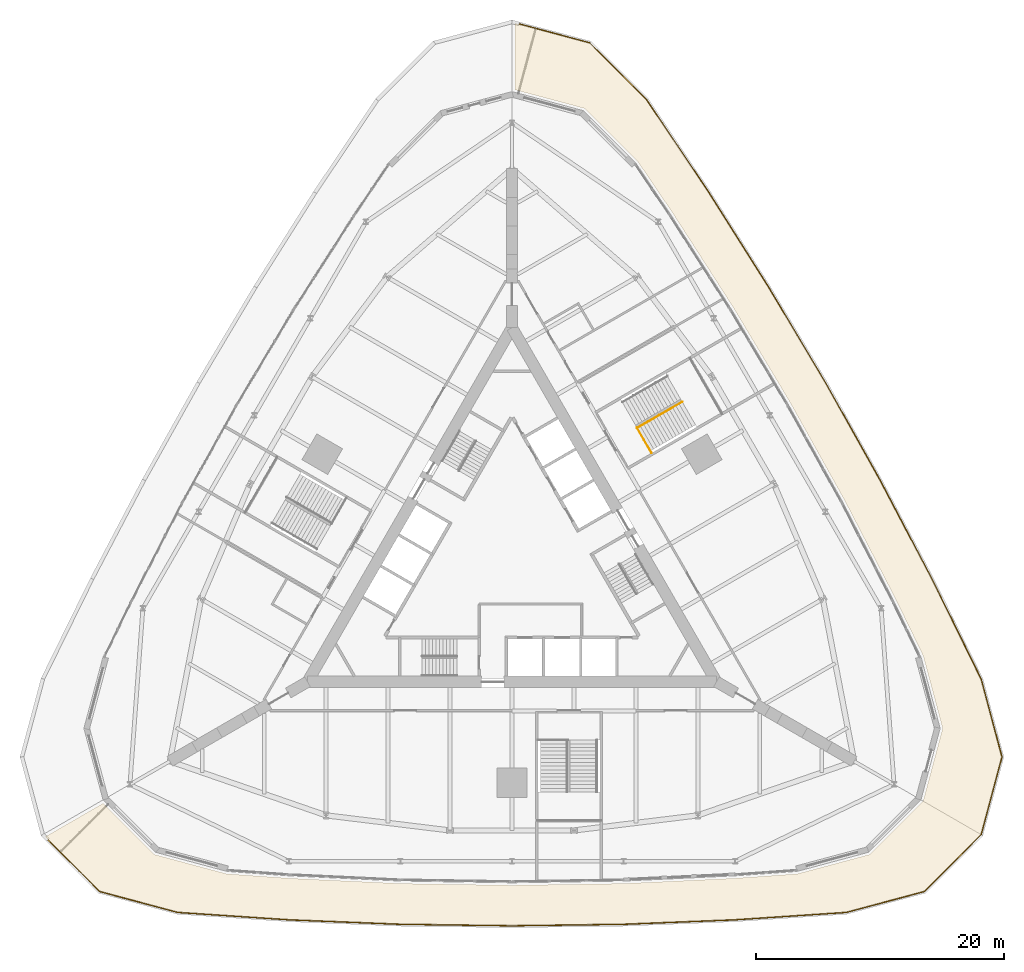
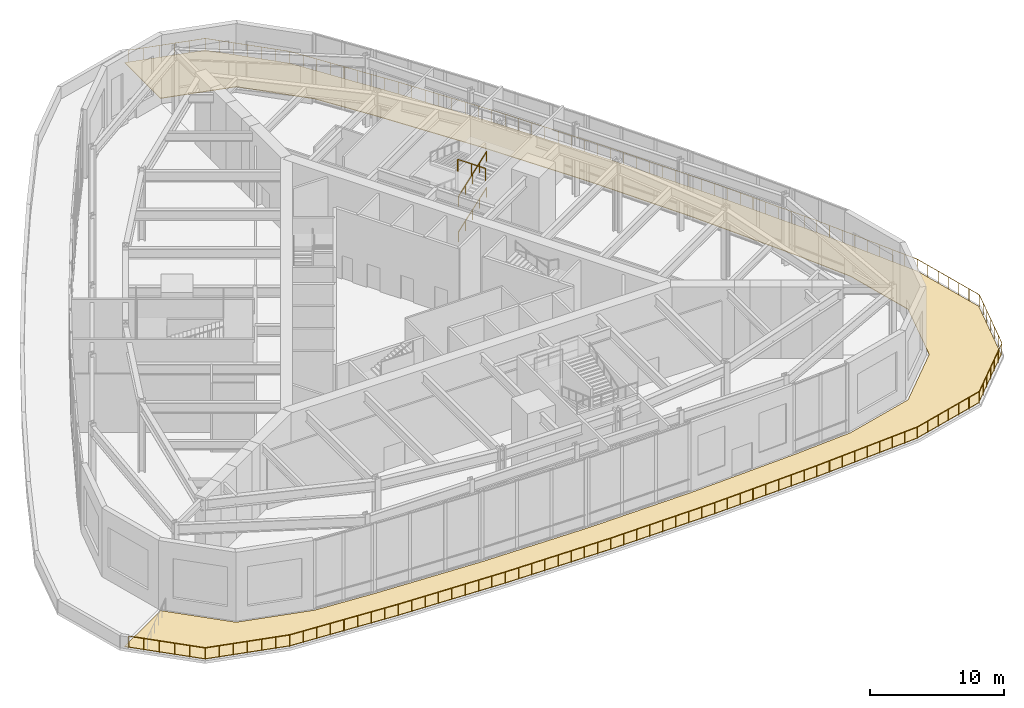
# One storey, part 18 of 19: 4 railings, 1 covering.
"""IFC4 building model written with IfcOpenShell, lengths in metres."""

from ifc_helpers import new_model, si_unit, direction, frame, origin, origin_2d, place, context, subcontext, project, spatial, polyline, circle, outline, extrude, material, layer, layer_set, type_object, element, save


model = new_model("IFC4")

# Units and contexts
model_context = context("Model", 3, precision=1e-05, world=origin(), true_north=direction((0.0, 1.0)))
body_context = subcontext(model_context, "Body", "Model", "MODEL_VIEW")
ifc_project = project(units=[si_unit("LENGTHUNIT", "METRE"), si_unit("AREAUNIT", "SQUARE_METRE"), si_unit("VOLUMEUNIT", "CUBIC_METRE"), si_unit("PLANEANGLEUNIT", "RADIAN"), si_unit("MASSUNIT", "GRAM", prefix="KILO")], contexts=[model_context])

# Site, building, storey
site_placement = place(None, origin())
site = spatial("IfcSite", under=ifc_project, at=site_placement, CompositionType="ELEMENT")
building_placement = place(site_placement, origin())
building = spatial("IfcBuilding", under=site, at=building_placement, Name="Trikona Tower", CompositionType="ELEMENT")
storey_placement = place(building_placement, frame((0.0, 0.0, 11.0)))
storey = spatial("IfcBuildingStorey", under=building, at=storey_placement, Name="L02", CompositionType="ELEMENT", Elevation=11.0)

# Railings
ifc_material_1 = material(Name="Stainless steel handrail", Category="steel")
railing_type_1 = type_object("IfcRailingType", Name="Stair handrail", PredefinedType="HANDRAIL", material=ifc_material_1)
for number, where, name in (
    (1, (10.100341796875, 10.958251953125, 0.1083984375), "Stair handrail PS2 L02 1"),
    (2, (10.100341796875, 10.958251953125, 3.3583984375), "Stair handrail PS2 L02 3"),
):
    element("IfcRailing", number, at=place(storey_placement, frame(where)), inside=storey, type_object=railing_type_1, Name=name, PredefinedType="HANDRAIL", context=body_context, shape_type="SweptSolid", body=[
        extrude(circle(Radius=0.02392578125, at=origin_2d()), frame((0.0, 0.0, 0.8759765625), z_axis=(0.814531715647, 0.470304860921, 0.339634247389), x_axis=(-0.500027713859, 0.866009402589, 0.0)), (0.0, 0.0, 1.0), 4.46533203125),
        extrude(circle(Radius=0.02099609375, at=origin_2d()), origin(), (0.0, 0.0, 1.0), 0.851806640625),
        extrude(circle(Radius=0.02099609375, at=origin_2d()), frame((0.9091796875, 0.52490234375, 0.379150390625)), (0.0, 0.0, 1.0), 0.851806640625),
        extrude(circle(Radius=0.02099609375, at=origin_2d()), frame((1.818603515625, 1.050048828125, 0.75830078125)), (0.0, 0.0, 1.0), 0.851806640625),
        extrude(circle(Radius=0.02099609375, at=origin_2d()), frame((2.72802734375, 1.5751953125, 1.137451171875)), (0.0, 0.0, 1.0), 0.851806640625),
        extrude(circle(Radius=0.02099609375, at=origin_2d()), frame((3.63720703125, 2.10009765625, 1.5166015625)), (0.0, 0.0, 1.0), 0.851806640625),
    ])
ifc_material_2 = material(Name="Stainless steel guard with glass infill", Category="steel")
railing_type_2 = type_object("IfcRailingType", Name="Stair well guard 1100", PredefinedType="GUARDRAIL", material=ifc_material_2)
railing_1_placement = place(storey_placement, frame((11.270263671875, 8.931884765625, 6.5)))
element("IfcRailing", 3, at=railing_1_placement, inside=storey, type_object=railing_type_2, Name="Stair well guard PS2 L02", PredefinedType="GUARDRAIL", context=body_context, shape_type="SweptSolid", body=[
    extrude(circle(Radius=0.02392578125, at=origin_2d()), frame((0.0, 0.0, 1.076171875), z_axis=(-0.500001309137, 0.866024647952, 0.0), x_axis=(-0.866024647952, -0.500001309137, 0.0)), (0.0, 0.0, 1.0), 2.39990234375),
    extrude(circle(Radius=0.02099609375, at=origin_2d()), origin(), (0.0, 0.0, 1.0), 1.052001953125),
    extrude(circle(Radius=0.02099609375, at=origin_2d()), frame((-0.60009765625, 1.0390625, 0.0)), (0.0, 0.0, 1.0), 1.052001953125),
    extrude(circle(Radius=0.02099609375, at=origin_2d()), frame((-1.199951171875, 2.078369140625, 0.0)), (0.0, 0.0, 1.0), 1.052001953125),
])
ifc_material_3 = material(Name="Stainless steel guard with glass infill", Category="steel")
railing_type_3 = type_object("IfcRailingType", Name="Terrace guard 1100", PredefinedType="GUARDRAIL", material=ifc_material_3)
railing_2_placement = place(storey_placement, frame((0.57958984375, 43.568115234375, 0.0)))
element("IfcRailing", 4, at=railing_2_placement, inside=storey, type_object=railing_type_3, Name="Terrace guard L02-1", PredefinedType="GUARDRAIL", context=body_context, shape_type="SweptSolid", body=[
    extrude(circle(Radius=0.02392578125, at=origin_2d()), frame((0.0, 0.0, 1.076171875), z_axis=(0.965924201797, -0.258825107715, 0.0), x_axis=(0.258825107715, 0.965924201797, 0.0)), (0.0, 0.0, 1.0), 5.89453125),
    extrude(circle(Radius=0.02392578125, at=origin_2d()), frame((5.693603515625, -1.525634765625, 1.076171875), z_axis=(0.707106781187, -0.707106781187, 0.0), x_axis=(0.707106781187, 0.707106781187, 0.0)), (0.0, 0.0, 1.0), 6.52001953125),
    extrude(circle(Radius=0.02392578125, at=origin_2d()), frame((10.303955078125, -6.135986328125, 1.076171875), z_axis=(0.556488614261, -0.830855235404, 0.0), x_axis=(0.830855235404, 0.556488614261, 0.0)), (0.0, 0.0, 1.0), 9.00341796875),
    extrude(circle(Radius=0.02392578125, at=origin_2d()), frame((15.314208984375, -13.616455078125, 1.076171875), z_axis=(0.534228645419, -0.845340022958, 0.0), x_axis=(0.845340022958, 0.534228645419, 0.0)), (0.0, 0.0, 1.0), 9.003173828125),
    extrude(circle(Radius=0.02392578125, at=origin_2d()), frame((20.1240234375, -21.227294921875, 1.076171875), z_axis=(0.511499603283, -0.859283513075, 0.0), x_axis=(0.859283513075, 0.511499603283, 0.0)), (0.0, 0.0, 1.0), 8.99658203125),
    extrude(circle(Radius=0.02392578125, at=origin_2d()), frame((24.725830078125, -28.9580078125, 1.076171875), z_axis=(0.488409994099, -0.872614277711, 0.0), x_axis=(0.872614277711, 0.488409994099, 0.0)), (0.0, 0.0, 1.0), 8.99658203125),
    extrude(circle(Radius=0.02392578125, at=origin_2d()), frame((29.119873046875, -36.80859375, 1.076171875), z_axis=(0.46498853792, -0.885316700172, 0.0), x_axis=(0.885316700172, 0.46498853792, 0.0)), (0.0, 0.0, 1.0), 9.00341796875),
    extrude(circle(Radius=0.02392578125, at=origin_2d()), frame((33.306396484375, -44.779541015625, 1.076171875), z_axis=(0.441281352702, -0.897368802532, 0.0), x_axis=(0.897368802532, 0.441281352702, 0.0)), (0.0, 0.0, 1.0), 9.003173828125),
    extrude(circle(Radius=0.02392578125, at=origin_2d()), frame((37.279296875, -52.858642578125, 1.076171875), z_axis=(0.258818438327, -0.965925988874, 0.0), x_axis=(0.965925988874, 0.258818438327, 0.0)), (0.0, 0.0, 1.0), 6.52001953125),
    extrude(circle(Radius=0.02392578125, at=origin_2d()), frame((38.966796875, -59.156494140625, 1.076171875), z_axis=(-0.258811243261, -0.965927916752, 0.0), x_axis=(0.965927916752, -0.258811243261, 0.0)), (0.0, 0.0, 1.0), 6.49462890625),
    extrude(circle(Radius=0.02392578125, at=origin_2d()), frame((37.285888671875, -65.429931640625, 1.076171875), z_axis=(-0.707106781187, -0.707106781187, 0.0), x_axis=(0.707106781187, -0.707106781187, 0.0)), (0.0, 0.0, 1.0), 6.494384765625),
    extrude(circle(Radius=0.02392578125, at=origin_2d()), frame((32.693603515625, -70.022216796875, 1.076171875), z_axis=(-0.965925988874, -0.258818438327, 0.0), x_axis=(0.258818438327, -0.965925988874, 0.0)), (0.0, 0.0, 1.0), 6.52001953125),
    extrude(circle(Radius=0.02392578125, at=origin_2d()), frame((26.395751953125, -71.709716796875, 1.076171875), z_axis=(-0.99778527784, -0.066517210744, 0.0), x_axis=(0.066517210744, -0.99778527784, 0.0)), (0.0, 0.0, 1.0), 9.00341796875),
    extrude(circle(Radius=0.02392578125, at=origin_2d()), frame((17.412353515625, -72.30859375, 1.076171875), z_axis=(-0.999201911452, -0.039944212977, 0.0), x_axis=(0.039944212977, -0.999201911452, 0.0)), (0.0, 0.0, 1.0), 9.0029296875),
    extrude(circle(Radius=0.02392578125, at=origin_2d()), frame((8.41650390625, -72.668212890625, 1.076171875), z_axis=(-0.999910871971, -0.01335095932, 0.0), x_axis=(0.01335095932, -0.999910871971, 0.0)), (0.0, 0.0, 1.0), 8.996826171875),
    extrude(circle(Radius=0.02392578125, at=origin_2d()), frame((-0.57958984375, -72.788330078125, 1.076171875), z_axis=(-0.999910871971, 0.01335095932, 0.0), x_axis=(-0.01335095932, -0.999910871971, 0.0)), (0.0, 0.0, 1.0), 8.996826171875),
    extrude(circle(Radius=0.02392578125, at=origin_2d()), frame((-9.57568359375, -72.668212890625, 1.076171875), z_axis=(-0.999201911452, 0.039944212977, 0.0), x_axis=(-0.039944212977, -0.999201911452, 0.0)), (0.0, 0.0, 1.0), 9.0029296875),
    extrude(circle(Radius=0.02392578125, at=origin_2d()), frame((-18.571533203125, -72.30859375, 1.076171875), z_axis=(-0.99778527784, 0.066517210744, 0.0), x_axis=(-0.066517210744, -0.99778527784, 0.0)), (0.0, 0.0, 1.0), 9.00341796875),
    extrude(circle(Radius=0.02392578125, at=origin_2d()), frame((-27.554931640625, -71.709716796875, 1.076171875), z_axis=(-0.965925988874, 0.258818438327, 0.0), x_axis=(-0.258818438327, -0.965925988874, 0.0)), (0.0, 0.0, 1.0), 6.52001953125),
    extrude(circle(Radius=0.02392578125, at=origin_2d()), frame((-33.852783203125, -70.022216796875, 1.076171875), z_axis=(-0.707086071943, 0.707127489824, 0.0), x_axis=(-0.707127489824, -0.707086071943, 0.0)), (0.0, 0.0, 1.0), 5.89453125),
    extrude(circle(Radius=0.02099609375, at=origin_2d()), origin(), (0.0, 0.0, 1.0), 1.052001953125),
    extrude(circle(Radius=0.02099609375, at=origin_2d()), frame((1.138671875, -0.30517578125, 0.0)), (0.0, 0.0, 1.0), 1.052001953125),
    extrude(circle(Radius=0.02099609375, at=origin_2d()), frame((2.27734375, -0.6103515625, 0.0)), (0.0, 0.0, 1.0), 1.052001953125),
    extrude(circle(Radius=0.02099609375, at=origin_2d()), frame((3.416259765625, -0.915283203125, 0.0)), (0.0, 0.0, 1.0), 1.052001953125),
    extrude(circle(Radius=0.02099609375, at=origin_2d()), frame((4.554931640625, -1.220458984375, 0.0)), (0.0, 0.0, 1.0), 1.052001953125),
    extrude(circle(Radius=0.02099609375, at=origin_2d()), frame((5.693603515625, -1.525634765625, 0.0)), (0.0, 0.0, 1.0), 1.052001953125),
    extrude(circle(Radius=0.02099609375, at=origin_2d()), frame((6.4619140625, -2.2939453125, 0.0)), (0.0, 0.0, 1.0), 1.052001953125),
    extrude(circle(Radius=0.02099609375, at=origin_2d()), frame((7.23046875, -3.0625, 0.0)), (0.0, 0.0, 1.0), 1.052001953125),
    extrude(circle(Radius=0.02099609375, at=origin_2d()), frame((7.998779296875, -3.830810546875, 0.0)), (0.0, 0.0, 1.0), 1.052001953125),
    extrude(circle(Radius=0.02099609375, at=origin_2d()), frame((8.76708984375, -4.59912109375, 0.0)), (0.0, 0.0, 1.0), 1.052001953125),
    extrude(circle(Radius=0.02099609375, at=origin_2d()), frame((9.53564453125, -5.36767578125, 0.0)), (0.0, 0.0, 1.0), 1.052001953125),
    extrude(circle(Radius=0.02099609375, at=origin_2d()), frame((10.303955078125, -6.135986328125, 0.0)), (0.0, 0.0, 1.0), 1.052001953125),
    extrude(circle(Radius=0.02099609375, at=origin_2d()), frame((10.93017578125, -7.071044921875, 0.0)), (0.0, 0.0, 1.0), 1.052001953125),
    extrude(circle(Radius=0.02099609375, at=origin_2d()), frame((11.556640625, -8.006103515625, 0.0)), (0.0, 0.0, 1.0), 1.052001953125),
    extrude(circle(Radius=0.02099609375, at=origin_2d()), frame((12.182861328125, -8.941162109375, 0.0)), (0.0, 0.0, 1.0), 1.052001953125),
    extrude(circle(Radius=0.02099609375, at=origin_2d()), frame((12.80908203125, -9.876220703125, 0.0)), (0.0, 0.0, 1.0), 1.052001953125),
    extrude(circle(Radius=0.02099609375, at=origin_2d()), frame((13.435302734375, -10.811279296875, 0.0)), (0.0, 0.0, 1.0), 1.052001953125),
    extrude(circle(Radius=0.02099609375, at=origin_2d()), frame((14.0615234375, -11.746337890625, 0.0)), (0.0, 0.0, 1.0), 1.052001953125),
    extrude(circle(Radius=0.02099609375, at=origin_2d()), frame((14.68798828125, -12.681396484375, 0.0)), (0.0, 0.0, 1.0), 1.052001953125),
    extrude(circle(Radius=0.02099609375, at=origin_2d()), frame((15.314208984375, -13.616455078125, 0.0)), (0.0, 0.0, 1.0), 1.052001953125),
    extrude(circle(Radius=0.02099609375, at=origin_2d()), frame((15.91552734375, -14.56787109375, 0.0)), (0.0, 0.0, 1.0), 1.052001953125),
    extrude(circle(Radius=0.02099609375, at=origin_2d()), frame((16.5166015625, -15.51904296875, 0.0)), (0.0, 0.0, 1.0), 1.052001953125),
    extrude(circle(Radius=0.02099609375, at=origin_2d()), frame((17.117919921875, -16.470458984375, 0.0)), (0.0, 0.0, 1.0), 1.052001953125),
    extrude(circle(Radius=0.02099609375, at=origin_2d()), frame((17.71923828125, -17.421875, 0.0)), (0.0, 0.0, 1.0), 1.052001953125),
    extrude(circle(Radius=0.02099609375, at=origin_2d()), frame((18.3203125, -18.373291015625, 0.0)), (0.0, 0.0, 1.0), 1.052001953125),
    extrude(circle(Radius=0.02099609375, at=origin_2d()), frame((18.921630859375, -19.32470703125, 0.0)), (0.0, 0.0, 1.0), 1.052001953125),
    extrude(circle(Radius=0.02099609375, at=origin_2d()), frame((19.522705078125, -20.27587890625, 0.0)), (0.0, 0.0, 1.0), 1.052001953125),
    extrude(circle(Radius=0.02099609375, at=origin_2d()), frame((20.1240234375, -21.227294921875, 0.0)), (0.0, 0.0, 1.0), 1.052001953125),
    extrude(circle(Radius=0.02099609375, at=origin_2d()), frame((20.69921875, -22.193603515625, 0.0)), (0.0, 0.0, 1.0), 1.052001953125),
    extrude(circle(Radius=0.02099609375, at=origin_2d()), frame((21.2744140625, -23.159912109375, 0.0)), (0.0, 0.0, 1.0), 1.052001953125),
    extrude(circle(Radius=0.02099609375, at=origin_2d()), frame((21.849609375, -24.126220703125, 0.0)), (0.0, 0.0, 1.0), 1.052001953125),
    extrude(circle(Radius=0.02099609375, at=origin_2d()), frame((22.4248046875, -25.0927734375, 0.0)), (0.0, 0.0, 1.0), 1.052001953125),
    extrude(circle(Radius=0.02099609375, at=origin_2d()), frame((23.000244140625, -26.05908203125, 0.0)), (0.0, 0.0, 1.0), 1.052001953125),
    extrude(circle(Radius=0.02099609375, at=origin_2d()), frame((23.575439453125, -27.025390625, 0.0)), (0.0, 0.0, 1.0), 1.052001953125),
    extrude(circle(Radius=0.02099609375, at=origin_2d()), frame((24.150634765625, -27.99169921875, 0.0)), (0.0, 0.0, 1.0), 1.052001953125),
    extrude(circle(Radius=0.02099609375, at=origin_2d()), frame((24.725830078125, -28.9580078125, 0.0)), (0.0, 0.0, 1.0), 1.052001953125),
    extrude(circle(Radius=0.02099609375, at=origin_2d()), frame((25.275146484375, -29.939453125, 0.0)), (0.0, 0.0, 1.0), 1.052001953125),
    extrude(circle(Radius=0.02099609375, at=origin_2d()), frame((25.82421875, -30.920654296875, 0.0)), (0.0, 0.0, 1.0), 1.052001953125),
    extrude(circle(Radius=0.02099609375, at=origin_2d()), frame((26.37353515625, -31.90185546875, 0.0)), (0.0, 0.0, 1.0), 1.052001953125),
    extrude(circle(Radius=0.02099609375, at=origin_2d()), frame((26.9228515625, -32.88330078125, 0.0)), (0.0, 0.0, 1.0), 1.052001953125),
    extrude(circle(Radius=0.02099609375, at=origin_2d()), frame((27.47216796875, -33.86474609375, 0.0)), (0.0, 0.0, 1.0), 1.052001953125),
    extrude(circle(Radius=0.02099609375, at=origin_2d()), frame((28.021484375, -34.845947265625, 0.0)), (0.0, 0.0, 1.0), 1.052001953125),
    extrude(circle(Radius=0.02099609375, at=origin_2d()), frame((28.570556640625, -35.8271484375, 0.0)), (0.0, 0.0, 1.0), 1.052001953125),
    extrude(circle(Radius=0.02099609375, at=origin_2d()), frame((29.119873046875, -36.80859375, 0.0)), (0.0, 0.0, 1.0), 1.052001953125),
    extrude(circle(Radius=0.02099609375, at=origin_2d()), frame((29.64306640625, -37.804931640625, 0.0)), (0.0, 0.0, 1.0), 1.052001953125),
    extrude(circle(Radius=0.02099609375, at=origin_2d()), frame((30.16650390625, -38.80126953125, 0.0)), (0.0, 0.0, 1.0), 1.052001953125),
    extrude(circle(Radius=0.02099609375, at=origin_2d()), frame((30.68994140625, -39.797607421875, 0.0)), (0.0, 0.0, 1.0), 1.052001953125),
    extrude(circle(Radius=0.02099609375, at=origin_2d()), frame((31.213134765625, -40.7939453125, 0.0)), (0.0, 0.0, 1.0), 1.052001953125),
    extrude(circle(Radius=0.02099609375, at=origin_2d()), frame((31.736328125, -41.79052734375, 0.0)), (0.0, 0.0, 1.0), 1.052001953125),
    extrude(circle(Radius=0.02099609375, at=origin_2d()), frame((32.259765625, -42.786865234375, 0.0)), (0.0, 0.0, 1.0), 1.052001953125),
    extrude(circle(Radius=0.02099609375, at=origin_2d()), frame((32.783203125, -43.783203125, 0.0)), (0.0, 0.0, 1.0), 1.052001953125),
    extrude(circle(Radius=0.02099609375, at=origin_2d()), frame((33.306396484375, -44.779541015625, 0.0)), (0.0, 0.0, 1.0), 1.052001953125),
    extrude(circle(Radius=0.02099609375, at=origin_2d()), frame((33.802978515625, -45.78955078125, 0.0)), (0.0, 0.0, 1.0), 1.052001953125),
    extrude(circle(Radius=0.02099609375, at=origin_2d()), frame((34.299560546875, -46.79931640625, 0.0)), (0.0, 0.0, 1.0), 1.052001953125),
    extrude(circle(Radius=0.02099609375, at=origin_2d()), frame((34.796142578125, -47.80908203125, 0.0)), (0.0, 0.0, 1.0), 1.052001953125),
    extrude(circle(Radius=0.02099609375, at=origin_2d()), frame((35.29296875, -48.819091796875, 0.0)), (0.0, 0.0, 1.0), 1.052001953125),
    extrude(circle(Radius=0.02099609375, at=origin_2d()), frame((35.78955078125, -49.8291015625, 0.0)), (0.0, 0.0, 1.0), 1.052001953125),
    extrude(circle(Radius=0.02099609375, at=origin_2d()), frame((36.2861328125, -50.8388671875, 0.0)), (0.0, 0.0, 1.0), 1.052001953125),
    extrude(circle(Radius=0.02099609375, at=origin_2d()), frame((36.78271484375, -51.8486328125, 0.0)), (0.0, 0.0, 1.0), 1.052001953125),
    extrude(circle(Radius=0.02099609375, at=origin_2d()), frame((37.279296875, -52.858642578125, 0.0)), (0.0, 0.0, 1.0), 1.052001953125),
    extrude(circle(Radius=0.02099609375, at=origin_2d()), frame((37.560546875, -53.908203125, 0.0)), (0.0, 0.0, 1.0), 1.052001953125),
    extrude(circle(Radius=0.02099609375, at=origin_2d()), frame((37.841796875, -54.9580078125, 0.0)), (0.0, 0.0, 1.0), 1.052001953125),
    extrude(circle(Radius=0.02099609375, at=origin_2d()), frame((38.123046875, -56.007568359375, 0.0)), (0.0, 0.0, 1.0), 1.052001953125),
    extrude(circle(Radius=0.02099609375, at=origin_2d()), frame((38.404296875, -57.05712890625, 0.0)), (0.0, 0.0, 1.0), 1.052001953125),
    extrude(circle(Radius=0.02099609375, at=origin_2d()), frame((38.685546875, -58.10693359375, 0.0)), (0.0, 0.0, 1.0), 1.052001953125),
    extrude(circle(Radius=0.02099609375, at=origin_2d()), frame((38.966796875, -59.156494140625, 0.0)), (0.0, 0.0, 1.0), 1.052001953125),
    extrude(circle(Radius=0.02099609375, at=origin_2d()), frame((38.6865234375, -60.2021484375, 0.0)), (0.0, 0.0, 1.0), 1.052001953125),
    extrude(circle(Radius=0.02099609375, at=origin_2d()), frame((38.406494140625, -61.24755859375, 0.0)), (0.0, 0.0, 1.0), 1.052001953125),
    extrude(circle(Radius=0.02099609375, at=origin_2d()), frame((38.12646484375, -62.293212890625, 0.0)), (0.0, 0.0, 1.0), 1.052001953125),
    extrude(circle(Radius=0.02099609375, at=origin_2d()), frame((37.84619140625, -63.3388671875, 0.0)), (0.0, 0.0, 1.0), 1.052001953125),
    extrude(circle(Radius=0.02099609375, at=origin_2d()), frame((37.56591796875, -64.38427734375, 0.0)), (0.0, 0.0, 1.0), 1.052001953125),
    extrude(circle(Radius=0.02099609375, at=origin_2d()), frame((37.285888671875, -65.429931640625, 0.0)), (0.0, 0.0, 1.0), 1.052001953125),
    extrude(circle(Radius=0.02099609375, at=origin_2d()), frame((36.5205078125, -66.1953125, 0.0)), (0.0, 0.0, 1.0), 1.052001953125),
    extrude(circle(Radius=0.02099609375, at=origin_2d()), frame((35.755126953125, -66.960693359375, 0.0)), (0.0, 0.0, 1.0), 1.052001953125),
    extrude(circle(Radius=0.02099609375, at=origin_2d()), frame((34.98974609375, -67.72607421875, 0.0)), (0.0, 0.0, 1.0), 1.052001953125),
    extrude(circle(Radius=0.02099609375, at=origin_2d()), frame((34.224365234375, -68.491455078125, 0.0)), (0.0, 0.0, 1.0), 1.052001953125),
    extrude(circle(Radius=0.02099609375, at=origin_2d()), frame((33.458984375, -69.2568359375, 0.0)), (0.0, 0.0, 1.0), 1.052001953125),
    extrude(circle(Radius=0.02099609375, at=origin_2d()), frame((32.693603515625, -70.022216796875, 0.0)), (0.0, 0.0, 1.0), 1.052001953125),
    extrude(circle(Radius=0.02099609375, at=origin_2d()), frame((31.64404296875, -70.303466796875, 0.0)), (0.0, 0.0, 1.0), 1.052001953125),
    extrude(circle(Radius=0.02099609375, at=origin_2d()), frame((30.59423828125, -70.584716796875, 0.0)), (0.0, 0.0, 1.0), 1.052001953125),
    extrude(circle(Radius=0.02099609375, at=origin_2d()), frame((29.544677734375, -70.865966796875, 0.0)), (0.0, 0.0, 1.0), 1.052001953125),
    extrude(circle(Radius=0.02099609375, at=origin_2d()), frame((28.4951171875, -71.147216796875, 0.0)), (0.0, 0.0, 1.0), 1.052001953125),
    extrude(circle(Radius=0.02099609375, at=origin_2d()), frame((27.4453125, -71.428466796875, 0.0)), (0.0, 0.0, 1.0), 1.052001953125),
    extrude(circle(Radius=0.02099609375, at=origin_2d()), frame((26.395751953125, -71.709716796875, 0.0)), (0.0, 0.0, 1.0), 1.052001953125),
    extrude(circle(Radius=0.02099609375, at=origin_2d()), frame((25.27294921875, -71.78466796875, 0.0)), (0.0, 0.0, 1.0), 1.052001953125),
    extrude(circle(Radius=0.02099609375, at=origin_2d()), frame((24.14990234375, -71.859375, 0.0)), (0.0, 0.0, 1.0), 1.052001953125),
    extrude(circle(Radius=0.02099609375, at=origin_2d()), frame((23.02685546875, -71.934326171875, 0.0)), (0.0, 0.0, 1.0), 1.052001953125),
    extrude(circle(Radius=0.02099609375, at=origin_2d()), frame((21.904052734375, -72.00927734375, 0.0)), (0.0, 0.0, 1.0), 1.052001953125),
    extrude(circle(Radius=0.02099609375, at=origin_2d()), frame((20.78125, -72.083984375, 0.0)), (0.0, 0.0, 1.0), 1.052001953125),
    extrude(circle(Radius=0.02099609375, at=origin_2d()), frame((19.658203125, -72.158935546875, 0.0)), (0.0, 0.0, 1.0), 1.052001953125),
    extrude(circle(Radius=0.02099609375, at=origin_2d()), frame((18.53515625, -72.233642578125, 0.0)), (0.0, 0.0, 1.0), 1.052001953125),
    extrude(circle(Radius=0.02099609375, at=origin_2d()), frame((17.412353515625, -72.30859375, 0.0)), (0.0, 0.0, 1.0), 1.052001953125),
    extrude(circle(Radius=0.02099609375, at=origin_2d()), frame((16.287841796875, -72.353515625, 0.0)), (0.0, 0.0, 1.0), 1.052001953125),
    extrude(circle(Radius=0.02099609375, at=origin_2d()), frame((15.163330078125, -72.3984375, 0.0)), (0.0, 0.0, 1.0), 1.052001953125),
    extrude(circle(Radius=0.02099609375, at=origin_2d()), frame((14.038818359375, -72.443359375, 0.0)), (0.0, 0.0, 1.0), 1.052001953125),
    extrude(circle(Radius=0.02099609375, at=origin_2d()), frame((12.91455078125, -72.48828125, 0.0)), (0.0, 0.0, 1.0), 1.052001953125),
    extrude(circle(Radius=0.02099609375, at=origin_2d()), frame((11.7900390625, -72.533447265625, 0.0)), (0.0, 0.0, 1.0), 1.052001953125),
    extrude(circle(Radius=0.02099609375, at=origin_2d()), frame((10.66552734375, -72.578369140625, 0.0)), (0.0, 0.0, 1.0), 1.052001953125),
    extrude(circle(Radius=0.02099609375, at=origin_2d()), frame((9.541015625, -72.623291015625, 0.0)), (0.0, 0.0, 1.0), 1.052001953125),
    extrude(circle(Radius=0.02099609375, at=origin_2d()), frame((8.41650390625, -72.668212890625, 0.0)), (0.0, 0.0, 1.0), 1.052001953125),
    extrude(circle(Radius=0.02099609375, at=origin_2d()), frame((7.2919921875, -72.68310546875, 0.0)), (0.0, 0.0, 1.0), 1.052001953125),
    extrude(circle(Radius=0.02099609375, at=origin_2d()), frame((6.16748046875, -72.6982421875, 0.0)), (0.0, 0.0, 1.0), 1.052001953125),
    extrude(circle(Radius=0.02099609375, at=origin_2d()), frame((5.04296875, -72.71337890625, 0.0)), (0.0, 0.0, 1.0), 1.052001953125),
    extrude(circle(Radius=0.02099609375, at=origin_2d()), frame((3.91845703125, -72.728271484375, 0.0)), (0.0, 0.0, 1.0), 1.052001953125),
    extrude(circle(Radius=0.02099609375, at=origin_2d()), frame((2.7939453125, -72.7431640625, 0.0)), (0.0, 0.0, 1.0), 1.052001953125),
    extrude(circle(Radius=0.02099609375, at=origin_2d()), frame((1.66943359375, -72.75830078125, 0.0)), (0.0, 0.0, 1.0), 1.052001953125),
    extrude(circle(Radius=0.02099609375, at=origin_2d()), frame((0.544921875, -72.7734375, 0.0)), (0.0, 0.0, 1.0), 1.052001953125),
    extrude(circle(Radius=0.02099609375, at=origin_2d()), frame((-0.57958984375, -72.788330078125, 0.0)), (0.0, 0.0, 1.0), 1.052001953125),
    extrude(circle(Radius=0.02099609375, at=origin_2d()), frame((-1.7041015625, -72.7734375, 0.0)), (0.0, 0.0, 1.0), 1.052001953125),
    extrude(circle(Radius=0.02099609375, at=origin_2d()), frame((-2.82861328125, -72.75830078125, 0.0)), (0.0, 0.0, 1.0), 1.052001953125),
    extrude(circle(Radius=0.02099609375, at=origin_2d()), frame((-3.953125, -72.7431640625, 0.0)), (0.0, 0.0, 1.0), 1.052001953125),
    extrude(circle(Radius=0.02099609375, at=origin_2d()), frame((-5.07763671875, -72.728271484375, 0.0)), (0.0, 0.0, 1.0), 1.052001953125),
    extrude(circle(Radius=0.02099609375, at=origin_2d()), frame((-6.2021484375, -72.71337890625, 0.0)), (0.0, 0.0, 1.0), 1.052001953125),
    extrude(circle(Radius=0.02099609375, at=origin_2d()), frame((-7.32666015625, -72.6982421875, 0.0)), (0.0, 0.0, 1.0), 1.052001953125),
    extrude(circle(Radius=0.02099609375, at=origin_2d()), frame((-8.451171875, -72.68310546875, 0.0)), (0.0, 0.0, 1.0), 1.052001953125),
    extrude(circle(Radius=0.02099609375, at=origin_2d()), frame((-9.57568359375, -72.668212890625, 0.0)), (0.0, 0.0, 1.0), 1.052001953125),
    extrude(circle(Radius=0.02099609375, at=origin_2d()), frame((-10.7001953125, -72.623291015625, 0.0)), (0.0, 0.0, 1.0), 1.052001953125),
    extrude(circle(Radius=0.02099609375, at=origin_2d()), frame((-11.82470703125, -72.578369140625, 0.0)), (0.0, 0.0, 1.0), 1.052001953125),
    extrude(circle(Radius=0.02099609375, at=origin_2d()), frame((-12.94921875, -72.533447265625, 0.0)), (0.0, 0.0, 1.0), 1.052001953125),
    extrude(circle(Radius=0.02099609375, at=origin_2d()), frame((-14.07373046875, -72.48828125, 0.0)), (0.0, 0.0, 1.0), 1.052001953125),
    extrude(circle(Radius=0.02099609375, at=origin_2d()), frame((-15.197998046875, -72.443359375, 0.0)), (0.0, 0.0, 1.0), 1.052001953125),
    extrude(circle(Radius=0.02099609375, at=origin_2d()), frame((-16.322509765625, -72.3984375, 0.0)), (0.0, 0.0, 1.0), 1.052001953125),
    extrude(circle(Radius=0.02099609375, at=origin_2d()), frame((-17.447021484375, -72.353515625, 0.0)), (0.0, 0.0, 1.0), 1.052001953125),
    extrude(circle(Radius=0.02099609375, at=origin_2d()), frame((-18.571533203125, -72.30859375, 0.0)), (0.0, 0.0, 1.0), 1.052001953125),
    extrude(circle(Radius=0.02099609375, at=origin_2d()), frame((-19.6943359375, -72.233642578125, 0.0)), (0.0, 0.0, 1.0), 1.052001953125),
    extrude(circle(Radius=0.02099609375, at=origin_2d()), frame((-20.8173828125, -72.158935546875, 0.0)), (0.0, 0.0, 1.0), 1.052001953125),
    extrude(circle(Radius=0.02099609375, at=origin_2d()), frame((-21.9404296875, -72.083984375, 0.0)), (0.0, 0.0, 1.0), 1.052001953125),
    extrude(circle(Radius=0.02099609375, at=origin_2d()), frame((-23.063232421875, -72.00927734375, 0.0)), (0.0, 0.0, 1.0), 1.052001953125),
    extrude(circle(Radius=0.02099609375, at=origin_2d()), frame((-24.18603515625, -71.934326171875, 0.0)), (0.0, 0.0, 1.0), 1.052001953125),
    extrude(circle(Radius=0.02099609375, at=origin_2d()), frame((-25.30908203125, -71.859375, 0.0)), (0.0, 0.0, 1.0), 1.052001953125),
    extrude(circle(Radius=0.02099609375, at=origin_2d()), frame((-26.43212890625, -71.78466796875, 0.0)), (0.0, 0.0, 1.0), 1.052001953125),
    extrude(circle(Radius=0.02099609375, at=origin_2d()), frame((-27.554931640625, -71.709716796875, 0.0)), (0.0, 0.0, 1.0), 1.052001953125),
    extrude(circle(Radius=0.02099609375, at=origin_2d()), frame((-28.6044921875, -71.428466796875, 0.0)), (0.0, 0.0, 1.0), 1.052001953125),
    extrude(circle(Radius=0.02099609375, at=origin_2d()), frame((-29.654296875, -71.147216796875, 0.0)), (0.0, 0.0, 1.0), 1.052001953125),
    extrude(circle(Radius=0.02099609375, at=origin_2d()), frame((-30.703857421875, -70.865966796875, 0.0)), (0.0, 0.0, 1.0), 1.052001953125),
    extrude(circle(Radius=0.02099609375, at=origin_2d()), frame((-31.75341796875, -70.584716796875, 0.0)), (0.0, 0.0, 1.0), 1.052001953125),
    extrude(circle(Radius=0.02099609375, at=origin_2d()), frame((-32.80322265625, -70.303466796875, 0.0)), (0.0, 0.0, 1.0), 1.052001953125),
    extrude(circle(Radius=0.02099609375, at=origin_2d()), frame((-33.852783203125, -70.022216796875, 0.0)), (0.0, 0.0, 1.0), 1.052001953125),
    extrude(circle(Radius=0.02099609375, at=origin_2d()), frame((-34.686279296875, -69.1884765625, 0.0)), (0.0, 0.0, 1.0), 1.052001953125),
    extrude(circle(Radius=0.02099609375, at=origin_2d()), frame((-35.52001953125, -68.35498046875, 0.0)), (0.0, 0.0, 1.0), 1.052001953125),
    extrude(circle(Radius=0.02099609375, at=origin_2d()), frame((-36.353515625, -67.521240234375, 0.0)), (0.0, 0.0, 1.0), 1.052001953125),
    extrude(circle(Radius=0.02099609375, at=origin_2d()), frame((-37.187255859375, -66.687744140625, 0.0)), (0.0, 0.0, 1.0), 1.052001953125),
    extrude(circle(Radius=0.02099609375, at=origin_2d()), frame((-38.020751953125, -65.85400390625, 0.0)), (0.0, 0.0, 1.0), 1.052001953125),
])

# Covering
ifc_material_4 = material(Name="Clay brick pavers on pedestals", Category="masonry")
ifc_layer = layer(ifc_material_4, 0.050048828125)
ifc_layer_set = layer_set([ifc_layer], Name="Terrace paving 50")
covering_type = type_object("IfcCoveringType", Name="Terrace paving 50", PredefinedType="FLOORING", material=ifc_layer_set)
covering_placement = place(storey_placement, origin())
element("IfcCovering", 5, at=covering_placement, inside=storey, type_object=covering_type, Name="Terrace paving L02", PredefinedType="FLOORING", context=body_context, shape_type="SweptSolid", body=[
    extrude(outline(polyline([(-37.6376953125, -22.018798828125), (-33.247314453125, -26.4091796875), (-26.96728515625, -28.091796875), (-17.9892578125, -28.6904296875), (-8.99462890625, -29.05029296875), (0.0, -29.170166015625), (8.99462890625, -29.05029296875), (17.9892578125, -28.6904296875), (26.96728515625, -28.091796875), (33.247314453125, -26.4091796875), (37.82080078125, -21.835693359375), (39.49462890625, -15.58837890625), (37.81201171875, -9.308349609375), (33.84130859375, -1.23388671875), (29.655517578125, 6.735595703125), (25.26220703125, 14.585205078125), (20.660888671875, 22.314697265625), (15.85205078125, 29.92431640625), (10.8447265625, 37.400146484375), (6.247314453125, 41.99755859375), (0.25, 43.6044921875), (0.25, 38.24609375), (5.83056640625, 36.7509765625), (5.864990234375, 36.7373046875), (5.883056640625, 36.726806640625), (5.911865234375, 36.703857421875), (10.1552734375, 32.459716796875), (12.977294921875, 28.289306640625), (17.8447265625, 20.7041015625), (22.4716796875, 12.97216796875), (26.8525390625, 5.10205078125), (30.98779296875, -2.906005859375), (33.1884765625, -7.435302734375), (34.742431640625, -13.232177734375), (34.748046875, -13.2685546875), (34.748046875, -13.28955078125), (34.742431640625, -13.326171875), (33.19287109375, -19.109619140625), (33.17919921875, -19.14404296875), (33.168701171875, -19.162109375), (33.145751953125, -19.19091796875), (28.911865234375, -23.4248046875), (28.883056640625, -23.447998046875), (28.864990234375, -23.45849609375), (28.83056640625, -23.471923828125), (23.04736328125, -25.021484375), (23.01904296875, -25.0263671875), (18.010498046875, -25.38330078125), (9.0078125, -25.80615234375), (0.001708984375, -25.947021484375), (-9.004638671875, -25.80615234375), (-18.010498046875, -25.38330078125), (-23.033203125, -25.0244140625), (-28.83056640625, -23.471923828125), (-28.864990234375, -23.45849609375), (-28.883056640625, -23.447998046875), (-28.911865234375, -23.4248046875), (-32.997314453125, -19.339599609375), (-37.6376953125, -22.018798828125)])), origin(), (0.0, 0.0, 1.0), 0.050048828125),
])

save(model, "model.ifc")
